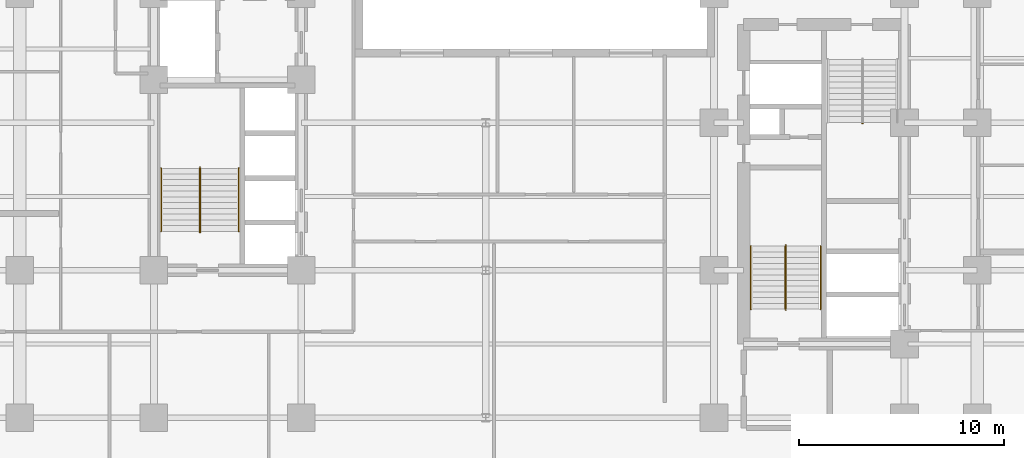
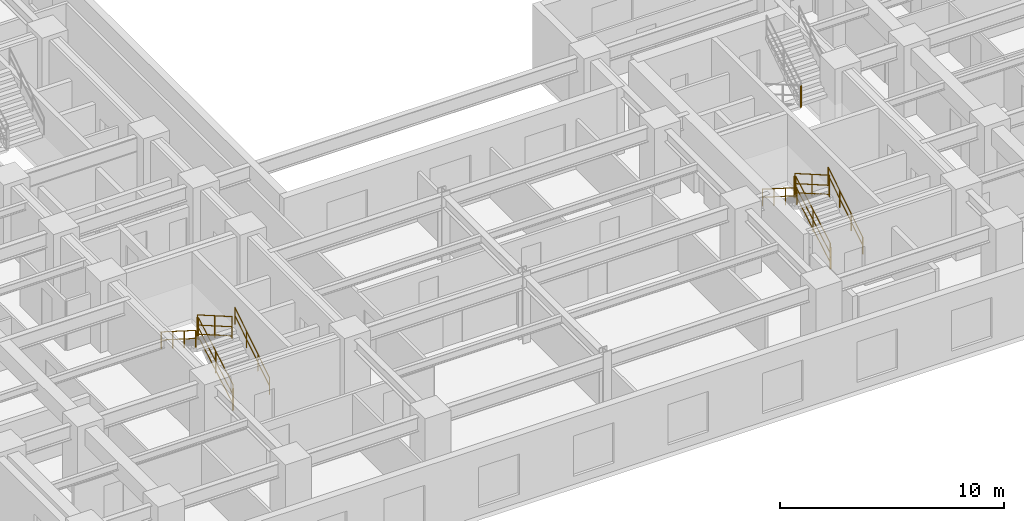
# One storey, part 8 of 10: 13 railings.
"""IFC4 building model written with IfcOpenShell, lengths in metres."""

from ifc_helpers import new_model, entity, si_unit, converted_unit, direction, frame, origin_with_axes, origin_2d_with_axis, place, context, subcontext, project, spatial, rectangle, circle, extrude, material, type_object, element, save


model = new_model("IFC4")

# Units and contexts
model_context = context("Model", 3, precision=1e-05, world=origin_with_axes(), true_north=direction((0.0, 1.0)))
body_context = subcontext(model_context, "Body", "Model", "MODEL_VIEW")
ifc_project = project(units=[si_unit("LENGTHUNIT", "METRE"), si_unit("AREAUNIT", "SQUARE_METRE"), si_unit("VOLUMEUNIT", "CUBIC_METRE"), converted_unit("PLANEANGLEUNIT", "DEGREE", entity("IfcPlaneAngleMeasure", 0.017453292519943295), si_unit("PLANEANGLEUNIT", "RADIAN"), dimensions=[0, 0, 0, 0, 0, 0, 0]), si_unit("MASSUNIT", "GRAM", prefix="KILO"), si_unit("THERMODYNAMICTEMPERATUREUNIT", "KELVIN")], contexts=[model_context])

# Site, building, storey
site_placement = place(None, origin_with_axes())
site = spatial("IfcSite", under=ifc_project, at=site_placement, CompositionType="ELEMENT")
building_placement = place(site_placement, origin_with_axes())
building = spatial("IfcBuilding", under=site, at=building_placement, Name="Varnlund Millrace Tower", CompositionType="ELEMENT")
storey_placement = place(building_placement, frame((0.0, 0.0, 44.4), z_axis=(0.0, 0.0, 1.0), x_axis=(1.0, 0.0, 0.0)))
storey = spatial("IfcBuildingStorey", under=building, at=storey_placement, Name="L10", CompositionType="ELEMENT", Elevation=44.4)

# Railings
ifc_material_1 = material(Name="Painted steel stair well balustrade guard", Category="steel")
railing_type_1 = type_object("IfcRailingType", Name="Type-StairGuard-1150", PredefinedType="GUARDRAIL", material=ifc_material_1)
railing_1_placement = place(storey_placement, frame((0.0, 0.0, -44.4), z_axis=(0.0, 0.0, 1.0), x_axis=(1.0, 0.0, 0.0)))
element("IfcRailing", 1, at=railing_1_placement, inside=storey, type_object=railing_type_1, Name="Type-StairGuard-1150", PredefinedType="GUARDRAIL", context=body_context, shape_type="SweptSolid", body=[
    extrude(circle(Radius=0.024, at=origin_2d_with_axis()), frame((13.675, 12.7, 45.727273), z_axis=(0.0, 0.866696, 0.498836), x_axis=(-1.0, 0.0, 0.0)), (0.0, 0.0, 1.0), 3.553725),
    extrude(circle(Radius=0.024, at=origin_2d_with_axis()), frame((13.675, 12.7, 44.677273), z_axis=(0.0, 0.866696, 0.498836), x_axis=(-1.0, 0.0, 0.0)), (0.0, 0.0, 1.0), 3.553725),
    extrude(circle(Radius=0.024, at=origin_2d_with_axis()), frame((13.675, 12.7, 45.175273), z_axis=(0.0, 0.866696, 0.498836), x_axis=(-1.0, 0.0, 0.0)), (0.0, 0.0, 1.0), 3.553725),
    extrude(rectangle(XDim=0.04, YDim=0.04, at=origin_2d_with_axis()), frame((13.675, 12.7, 44.537273), z_axis=(0.0, 0.0, 1.0), x_axis=(1.0, 0.0, 0.0)), (0.0, 0.0, 1.0), 1.19),
    extrude(rectangle(XDim=0.04, YDim=0.04, at=origin_2d_with_axis()), frame((13.675, 14.24, 45.423636), z_axis=(0.0, 0.0, 1.0), x_axis=(1.0, 0.0, 0.0)), (0.0, 0.0, 1.0), 1.19),
    extrude(rectangle(XDim=0.04, YDim=0.04, at=origin_2d_with_axis()), frame((13.675, 15.78, 46.31), z_axis=(0.0, 0.0, 1.0), x_axis=(1.0, 0.0, 0.0)), (0.0, 0.0, 1.0), 1.19),
])
railing_2_placement = place(storey_placement, frame((0.0, 0.0, -44.4), z_axis=(0.0, 0.0, 1.0), x_axis=(1.0, 0.0, 0.0)))
element("IfcRailing", 2, at=railing_2_placement, inside=storey, type_object=railing_type_1, Name="Type-StairGuard-1150", PredefinedType="GUARDRAIL", context=body_context, shape_type="SweptSolid", body=[
    extrude(circle(Radius=0.024, at=origin_2d_with_axis()), frame((13.625, 15.83, 47.5), z_axis=(1.0, 0.0, 0.0), x_axis=(0.0, 1.0, 0.0)), (0.0, 0.0, 1.0), 0.05),
    extrude(circle(Radius=0.024, at=origin_2d_with_axis()), frame((13.625, 15.83, 46.45), z_axis=(1.0, 0.0, 0.0), x_axis=(0.0, 1.0, 0.0)), (0.0, 0.0, 1.0), 0.05),
    extrude(circle(Radius=0.024, at=origin_2d_with_axis()), frame((13.625, 15.83, 46.948), z_axis=(1.0, 0.0, 0.0), x_axis=(0.0, 1.0, 0.0)), (0.0, 0.0, 1.0), 0.05),
    extrude(rectangle(XDim=0.04, YDim=0.04, at=origin_2d_with_axis()), frame((13.625, 15.83, 46.31), z_axis=(0.0, 0.0, 1.0), x_axis=(1.0, 0.0, 0.0)), (0.0, 0.0, 1.0), 1.19),
    extrude(rectangle(XDim=0.04, YDim=0.04, at=origin_2d_with_axis()), frame((13.675, 15.83, 46.31), z_axis=(0.0, 0.0, 1.0), x_axis=(1.0, 0.0, 0.0)), (0.0, 0.0, 1.0), 1.19),
])
railing_3_placement = place(storey_placement, frame((0.0, 0.0, -44.4), z_axis=(0.0, 0.0, 1.0), x_axis=(1.0, 0.0, 0.0)))
element("IfcRailing", 3, at=railing_3_placement, inside=storey, type_object=railing_type_1, Name="Type-StairGuard-1150", PredefinedType="GUARDRAIL", context=body_context, shape_type="SweptSolid", body=[
    extrude(circle(Radius=0.024, at=origin_2d_with_axis()), frame((13.625, 15.78, 47.677273), z_axis=(0.0, -0.866696, 0.498836), x_axis=(1.0, 0.0, 0.0)), (0.0, 0.0, 1.0), 3.553725),
    extrude(circle(Radius=0.024, at=origin_2d_with_axis()), frame((13.625, 15.78, 46.627273), z_axis=(0.0, -0.866696, 0.498836), x_axis=(1.0, 0.0, 0.0)), (0.0, 0.0, 1.0), 3.553725),
    extrude(circle(Radius=0.024, at=origin_2d_with_axis()), frame((13.625, 15.78, 47.125273), z_axis=(0.0, -0.866696, 0.498836), x_axis=(1.0, 0.0, 0.0)), (0.0, 0.0, 1.0), 3.553725),
    extrude(rectangle(XDim=0.04, YDim=0.04, at=origin_2d_with_axis()), frame((13.625, 15.78, 46.487273), z_axis=(0.0, 0.0, 1.0), x_axis=(1.0, 0.0, 0.0)), (0.0, 0.0, 1.0), 1.19),
    extrude(rectangle(XDim=0.04, YDim=0.04, at=origin_2d_with_axis()), frame((13.625, 14.24, 47.373636), z_axis=(0.0, 0.0, 1.0), x_axis=(1.0, 0.0, 0.0)), (0.0, 0.0, 1.0), 1.19),
    extrude(rectangle(XDim=0.04, YDim=0.04, at=origin_2d_with_axis()), frame((13.625, 12.7, 48.26), z_axis=(0.0, 0.0, 1.0), x_axis=(1.0, 0.0, 0.0)), (0.0, 0.0, 1.0), 1.19),
])
railing_4_placement = place(storey_placement, frame((0.0, 0.0, -44.4), z_axis=(0.0, 0.0, 1.0), x_axis=(1.0, 0.0, 0.0)))
element("IfcRailing", 4, at=railing_4_placement, inside=storey, type_object=railing_type_1, Name="Type-StairGuard-1150", PredefinedType="GUARDRAIL", context=body_context, shape_type="SweptSolid", body=[
    extrude(circle(Radius=0.024, at=origin_2d_with_axis()), frame((13.625, 12.65, 45.55), z_axis=(1.0, 0.0, 0.0), x_axis=(0.0, 1.0, 0.0)), (0.0, 0.0, 1.0), 0.05),
    extrude(circle(Radius=0.024, at=origin_2d_with_axis()), frame((13.625, 12.65, 44.5), z_axis=(1.0, 0.0, 0.0), x_axis=(0.0, 1.0, 0.0)), (0.0, 0.0, 1.0), 0.05),
    extrude(circle(Radius=0.024, at=origin_2d_with_axis()), frame((13.625, 12.65, 44.998), z_axis=(1.0, 0.0, 0.0), x_axis=(0.0, 1.0, 0.0)), (0.0, 0.0, 1.0), 0.05),
    extrude(rectangle(XDim=0.04, YDim=0.04, at=origin_2d_with_axis()), frame((13.625, 12.65, 44.36), z_axis=(0.0, 0.0, 1.0), x_axis=(1.0, 0.0, 0.0)), (0.0, 0.0, 1.0), 1.19),
    extrude(rectangle(XDim=0.04, YDim=0.04, at=origin_2d_with_axis()), frame((13.675, 12.65, 44.36), z_axis=(0.0, 0.0, 1.0), x_axis=(1.0, 0.0, 0.0)), (0.0, 0.0, 1.0), 1.19),
])
railing_5_placement = place(storey_placement, frame((0.0, 0.0, -44.4), z_axis=(0.0, 0.0, 1.0), x_axis=(1.0, 0.0, 0.0)))
element("IfcRailing", 5, at=railing_5_placement, inside=storey, type_object=railing_type_1, Name="Type-StairGuard-1150", PredefinedType="GUARDRAIL", context=body_context, shape_type="SweptSolid", body=[
    extrude(circle(Radius=0.024, at=origin_2d_with_axis()), frame((42.275, 8.9, 45.727273), z_axis=(0.0, 0.866696, 0.498836), x_axis=(-1.0, 0.0, 0.0)), (0.0, 0.0, 1.0), 3.553725),
    extrude(circle(Radius=0.024, at=origin_2d_with_axis()), frame((42.275, 8.9, 44.677273), z_axis=(0.0, 0.866696, 0.498836), x_axis=(-1.0, 0.0, 0.0)), (0.0, 0.0, 1.0), 3.553725),
    extrude(circle(Radius=0.024, at=origin_2d_with_axis()), frame((42.275, 8.9, 45.175273), z_axis=(0.0, 0.866696, 0.498836), x_axis=(-1.0, 0.0, 0.0)), (0.0, 0.0, 1.0), 3.553725),
    extrude(rectangle(XDim=0.04, YDim=0.04, at=origin_2d_with_axis()), frame((42.275, 8.9, 44.537273), z_axis=(0.0, 0.0, 1.0), x_axis=(1.0, 0.0, 0.0)), (0.0, 0.0, 1.0), 1.19),
    extrude(rectangle(XDim=0.04, YDim=0.04, at=origin_2d_with_axis()), frame((42.275, 10.44, 45.423636), z_axis=(0.0, 0.0, 1.0), x_axis=(1.0, 0.0, 0.0)), (0.0, 0.0, 1.0), 1.19),
    extrude(rectangle(XDim=0.04, YDim=0.04, at=origin_2d_with_axis()), frame((42.275, 11.98, 46.31), z_axis=(0.0, 0.0, 1.0), x_axis=(1.0, 0.0, 0.0)), (0.0, 0.0, 1.0), 1.19),
])
railing_6_placement = place(storey_placement, frame((0.0, 0.0, -44.4), z_axis=(0.0, 0.0, 1.0), x_axis=(1.0, 0.0, 0.0)))
element("IfcRailing", 6, at=railing_6_placement, inside=storey, type_object=railing_type_1, Name="Type-StairGuard-1150", PredefinedType="GUARDRAIL", context=body_context, shape_type="SweptSolid", body=[
    extrude(circle(Radius=0.024, at=origin_2d_with_axis()), frame((42.225, 12.03, 47.5), z_axis=(1.0, 0.0, 0.0), x_axis=(0.0, 1.0, 0.0)), (0.0, 0.0, 1.0), 0.05),
    extrude(circle(Radius=0.024, at=origin_2d_with_axis()), frame((42.225, 12.03, 46.45), z_axis=(1.0, 0.0, 0.0), x_axis=(0.0, 1.0, 0.0)), (0.0, 0.0, 1.0), 0.05),
    extrude(circle(Radius=0.024, at=origin_2d_with_axis()), frame((42.225, 12.03, 46.948), z_axis=(1.0, 0.0, 0.0), x_axis=(0.0, 1.0, 0.0)), (0.0, 0.0, 1.0), 0.05),
    extrude(rectangle(XDim=0.04, YDim=0.04, at=origin_2d_with_axis()), frame((42.225, 12.03, 46.31), z_axis=(0.0, 0.0, 1.0), x_axis=(1.0, 0.0, 0.0)), (0.0, 0.0, 1.0), 1.19),
    extrude(rectangle(XDim=0.04, YDim=0.04, at=origin_2d_with_axis()), frame((42.275, 12.03, 46.31), z_axis=(0.0, 0.0, 1.0), x_axis=(1.0, 0.0, 0.0)), (0.0, 0.0, 1.0), 1.19),
])
railing_7_placement = place(storey_placement, frame((0.0, 0.0, -44.4), z_axis=(0.0, 0.0, 1.0), x_axis=(1.0, 0.0, 0.0)))
element("IfcRailing", 7, at=railing_7_placement, inside=storey, type_object=railing_type_1, Name="Type-StairGuard-1150", PredefinedType="GUARDRAIL", context=body_context, shape_type="SweptSolid", body=[
    extrude(circle(Radius=0.024, at=origin_2d_with_axis()), frame((42.225, 11.98, 47.677273), z_axis=(0.0, -0.866696, 0.498836), x_axis=(1.0, 0.0, 0.0)), (0.0, 0.0, 1.0), 3.553725),
    extrude(circle(Radius=0.024, at=origin_2d_with_axis()), frame((42.225, 11.98, 46.627273), z_axis=(0.0, -0.866696, 0.498836), x_axis=(1.0, 0.0, 0.0)), (0.0, 0.0, 1.0), 3.553725),
    extrude(circle(Radius=0.024, at=origin_2d_with_axis()), frame((42.225, 11.98, 47.125273), z_axis=(0.0, -0.866696, 0.498836), x_axis=(1.0, 0.0, 0.0)), (0.0, 0.0, 1.0), 3.553725),
    extrude(rectangle(XDim=0.04, YDim=0.04, at=origin_2d_with_axis()), frame((42.225, 11.98, 46.487273), z_axis=(0.0, 0.0, 1.0), x_axis=(1.0, 0.0, 0.0)), (0.0, 0.0, 1.0), 1.19),
    extrude(rectangle(XDim=0.04, YDim=0.04, at=origin_2d_with_axis()), frame((42.225, 10.44, 47.373636), z_axis=(0.0, 0.0, 1.0), x_axis=(1.0, 0.0, 0.0)), (0.0, 0.0, 1.0), 1.19),
    extrude(rectangle(XDim=0.04, YDim=0.04, at=origin_2d_with_axis()), frame((42.225, 8.9, 48.26), z_axis=(0.0, 0.0, 1.0), x_axis=(1.0, 0.0, 0.0)), (0.0, 0.0, 1.0), 1.19),
])
railing_8_placement = place(storey_placement, frame((0.0, 0.0, -44.4), z_axis=(0.0, 0.0, 1.0), x_axis=(1.0, 0.0, 0.0)))
element("IfcRailing", 8, at=railing_8_placement, inside=storey, type_object=railing_type_1, Name="Type-StairGuard-1150", PredefinedType="GUARDRAIL", context=body_context, shape_type="SweptSolid", body=[
    extrude(circle(Radius=0.024, at=origin_2d_with_axis()), frame((42.225, 8.85, 45.55), z_axis=(1.0, 0.0, 0.0), x_axis=(0.0, 1.0, 0.0)), (0.0, 0.0, 1.0), 0.05),
    extrude(circle(Radius=0.024, at=origin_2d_with_axis()), frame((42.225, 8.85, 44.5), z_axis=(1.0, 0.0, 0.0), x_axis=(0.0, 1.0, 0.0)), (0.0, 0.0, 1.0), 0.05),
    extrude(circle(Radius=0.024, at=origin_2d_with_axis()), frame((42.225, 8.85, 44.998), z_axis=(1.0, 0.0, 0.0), x_axis=(0.0, 1.0, 0.0)), (0.0, 0.0, 1.0), 0.05),
    extrude(rectangle(XDim=0.04, YDim=0.04, at=origin_2d_with_axis()), frame((42.225, 8.85, 44.36), z_axis=(0.0, 0.0, 1.0), x_axis=(1.0, 0.0, 0.0)), (0.0, 0.0, 1.0), 1.19),
    extrude(rectangle(XDim=0.04, YDim=0.04, at=origin_2d_with_axis()), frame((42.275, 8.85, 44.36), z_axis=(0.0, 0.0, 1.0), x_axis=(1.0, 0.0, 0.0)), (0.0, 0.0, 1.0), 1.19),
])
railing_9_placement = place(storey_placement, frame((0.0, 0.0, -44.4), z_axis=(0.0, 0.0, 1.0), x_axis=(1.0, 0.0, 0.0)))
element("IfcRailing", 9, at=railing_9_placement, inside=storey, type_object=railing_type_1, Name="Type-StairGuard-1150", PredefinedType="GUARDRAIL", context=body_context, shape_type="SweptSolid", body=[
    extrude(circle(Radius=0.024, at=origin_2d_with_axis()), frame((46.025, 17.97, 47.5), z_axis=(-1.0, 0.0, 0.0), x_axis=(0.0, -1.0, 0.0)), (0.0, 0.0, 1.0), 0.05),
    extrude(circle(Radius=0.024, at=origin_2d_with_axis()), frame((46.025, 17.97, 46.45), z_axis=(-1.0, 0.0, 0.0), x_axis=(0.0, -1.0, 0.0)), (0.0, 0.0, 1.0), 0.05),
    extrude(circle(Radius=0.024, at=origin_2d_with_axis()), frame((46.025, 17.97, 46.948), z_axis=(-1.0, 0.0, 0.0), x_axis=(0.0, -1.0, 0.0)), (0.0, 0.0, 1.0), 0.05),
    extrude(rectangle(XDim=0.04, YDim=0.04, at=origin_2d_with_axis()), frame((46.025, 17.97, 46.31), z_axis=(0.0, 0.0, 1.0), x_axis=(1.0, 0.0, 0.0)), (0.0, 0.0, 1.0), 1.19),
    extrude(rectangle(XDim=0.04, YDim=0.04, at=origin_2d_with_axis()), frame((45.975, 17.97, 46.31), z_axis=(0.0, 0.0, 1.0), x_axis=(1.0, 0.0, 0.0)), (0.0, 0.0, 1.0), 1.19),
])
ifc_material_2 = material(Name="Brushed architectural bronze stair handrail", Category="aluminium")
railing_type_2 = type_object("IfcRailingType", Name="Type-StairHandrail-900", PredefinedType="HANDRAIL", material=ifc_material_2)
railing_10_placement = place(storey_placement, frame((0.0, 0.0, -44.4), z_axis=(0.0, 0.0, 1.0), x_axis=(1.0, 0.0, 0.0)))
element("IfcRailing", 10, at=railing_10_placement, inside=storey, type_object=railing_type_2, Name="Type-StairHandrail-900", PredefinedType="HANDRAIL", context=body_context, shape_type="SweptSolid", body=[
    extrude(circle(Radius=0.024, at=origin_2d_with_axis()), frame((15.55, 12.7, 45.456995), z_axis=(0.0, 0.844902, 0.534922), x_axis=(-1.0, 0.0, 0.0)), (0.0, 0.0, 1.0), 3.645394),
    extrude(circle(Radius=0.024, at=origin_2d_with_axis()), frame((15.55, 12.7, 45.017134), z_axis=(0.0, 0.844902, 0.534922), x_axis=(-1.0, 0.0, 0.0)), (0.0, 0.0, 1.0), 3.645394),
    extrude(rectangle(XDim=0.04, YDim=0.04, at=origin_2d_with_axis()), frame((15.55, 12.7, 44.537273), z_axis=(0.0, 0.0, 1.0), x_axis=(1.0, 0.0, 0.0)), (0.0, 0.0, 1.0), 0.919722),
    extrude(rectangle(XDim=0.04, YDim=0.04, at=origin_2d_with_axis()), frame((15.55, 13.726667, 45.187273), z_axis=(0.0, 0.0, 1.0), x_axis=(1.0, 0.0, 0.0)), (0.0, 0.0, 1.0), 0.919722),
    extrude(rectangle(XDim=0.04, YDim=0.04, at=origin_2d_with_axis()), frame((15.55, 14.753333, 45.837273), z_axis=(0.0, 0.0, 1.0), x_axis=(1.0, 0.0, 0.0)), (0.0, 0.0, 1.0), 0.919722),
    extrude(rectangle(XDim=0.04, YDim=0.04, at=origin_2d_with_axis()), frame((15.55, 15.78, 46.487273), z_axis=(0.0, 0.0, 1.0), x_axis=(1.0, 0.0, 0.0)), (0.0, 0.0, 1.0), 0.919722),
])
railing_11_placement = place(storey_placement, frame((0.0, 0.0, -44.4), z_axis=(0.0, 0.0, 1.0), x_axis=(1.0, 0.0, 0.0)))
element("IfcRailing", 11, at=railing_11_placement, inside=storey, type_object=railing_type_2, Name="Type-StairHandrail-900", PredefinedType="HANDRAIL", context=body_context, shape_type="SweptSolid", body=[
    extrude(circle(Radius=0.024, at=origin_2d_with_axis()), frame((11.75, 15.78, 47.406995), z_axis=(0.0, -0.844902, 0.534922), x_axis=(1.0, 0.0, 0.0)), (0.0, 0.0, 1.0), 3.645394),
    extrude(circle(Radius=0.024, at=origin_2d_with_axis()), frame((11.75, 15.78, 46.967134), z_axis=(0.0, -0.844902, 0.534922), x_axis=(1.0, 0.0, 0.0)), (0.0, 0.0, 1.0), 3.645394),
    extrude(rectangle(XDim=0.04, YDim=0.04, at=origin_2d_with_axis()), frame((11.75, 15.78, 46.487273), z_axis=(0.0, 0.0, 1.0), x_axis=(1.0, 0.0, 0.0)), (0.0, 0.0, 1.0), 0.919722),
    extrude(rectangle(XDim=0.04, YDim=0.04, at=origin_2d_with_axis()), frame((11.75, 14.753333, 47.137273), z_axis=(0.0, 0.0, 1.0), x_axis=(1.0, 0.0, 0.0)), (0.0, 0.0, 1.0), 0.919722),
    extrude(rectangle(XDim=0.04, YDim=0.04, at=origin_2d_with_axis()), frame((11.75, 13.726667, 47.787273), z_axis=(0.0, 0.0, 1.0), x_axis=(1.0, 0.0, 0.0)), (0.0, 0.0, 1.0), 0.919722),
    extrude(rectangle(XDim=0.04, YDim=0.04, at=origin_2d_with_axis()), frame((11.75, 12.7, 48.437273), z_axis=(0.0, 0.0, 1.0), x_axis=(1.0, 0.0, 0.0)), (0.0, 0.0, 1.0), 0.919722),
])
railing_12_placement = place(storey_placement, frame((0.0, 0.0, -44.4), z_axis=(0.0, 0.0, 1.0), x_axis=(1.0, 0.0, 0.0)))
element("IfcRailing", 12, at=railing_12_placement, inside=storey, type_object=railing_type_2, Name="Type-StairHandrail-900", PredefinedType="HANDRAIL", context=body_context, shape_type="SweptSolid", body=[
    extrude(circle(Radius=0.024, at=origin_2d_with_axis()), frame((43.95, 8.9, 45.456995), z_axis=(0.0, 0.844902, 0.534922), x_axis=(-1.0, 0.0, 0.0)), (0.0, 0.0, 1.0), 3.645394),
    extrude(circle(Radius=0.024, at=origin_2d_with_axis()), frame((43.95, 8.9, 45.017134), z_axis=(0.0, 0.844902, 0.534922), x_axis=(-1.0, 0.0, 0.0)), (0.0, 0.0, 1.0), 3.645394),
    extrude(rectangle(XDim=0.04, YDim=0.04, at=origin_2d_with_axis()), frame((43.95, 8.9, 44.537273), z_axis=(0.0, 0.0, 1.0), x_axis=(1.0, 0.0, 0.0)), (0.0, 0.0, 1.0), 0.919722),
    extrude(rectangle(XDim=0.04, YDim=0.04, at=origin_2d_with_axis()), frame((43.95, 9.926667, 45.187273), z_axis=(0.0, 0.0, 1.0), x_axis=(1.0, 0.0, 0.0)), (0.0, 0.0, 1.0), 0.919722),
    extrude(rectangle(XDim=0.04, YDim=0.04, at=origin_2d_with_axis()), frame((43.95, 10.953333, 45.837273), z_axis=(0.0, 0.0, 1.0), x_axis=(1.0, 0.0, 0.0)), (0.0, 0.0, 1.0), 0.919722),
    extrude(rectangle(XDim=0.04, YDim=0.04, at=origin_2d_with_axis()), frame((43.95, 11.98, 46.487273), z_axis=(0.0, 0.0, 1.0), x_axis=(1.0, 0.0, 0.0)), (0.0, 0.0, 1.0), 0.919722),
])
railing_13_placement = place(storey_placement, frame((0.0, 0.0, -44.4), z_axis=(0.0, 0.0, 1.0), x_axis=(1.0, 0.0, 0.0)))
element("IfcRailing", 13, at=railing_13_placement, inside=storey, type_object=railing_type_2, Name="Type-StairHandrail-900", PredefinedType="HANDRAIL", context=body_context, shape_type="SweptSolid", body=[
    extrude(circle(Radius=0.024, at=origin_2d_with_axis()), frame((40.55, 11.98, 47.406995), z_axis=(0.0, -0.844902, 0.534922), x_axis=(1.0, 0.0, 0.0)), (0.0, 0.0, 1.0), 3.645394),
    extrude(circle(Radius=0.024, at=origin_2d_with_axis()), frame((40.55, 11.98, 46.967134), z_axis=(0.0, -0.844902, 0.534922), x_axis=(1.0, 0.0, 0.0)), (0.0, 0.0, 1.0), 3.645394),
    extrude(rectangle(XDim=0.04, YDim=0.04, at=origin_2d_with_axis()), frame((40.55, 11.98, 46.487273), z_axis=(0.0, 0.0, 1.0), x_axis=(1.0, 0.0, 0.0)), (0.0, 0.0, 1.0), 0.919722),
    extrude(rectangle(XDim=0.04, YDim=0.04, at=origin_2d_with_axis()), frame((40.55, 10.953333, 47.137273), z_axis=(0.0, 0.0, 1.0), x_axis=(1.0, 0.0, 0.0)), (0.0, 0.0, 1.0), 0.919722),
    extrude(rectangle(XDim=0.04, YDim=0.04, at=origin_2d_with_axis()), frame((40.55, 9.926667, 47.787273), z_axis=(0.0, 0.0, 1.0), x_axis=(1.0, 0.0, 0.0)), (0.0, 0.0, 1.0), 0.919722),
    extrude(rectangle(XDim=0.04, YDim=0.04, at=origin_2d_with_axis()), frame((40.55, 8.9, 48.437273), z_axis=(0.0, 0.0, 1.0), x_axis=(1.0, 0.0, 0.0)), (0.0, 0.0, 1.0), 0.919722),
])

save(model, "model.ifc")
